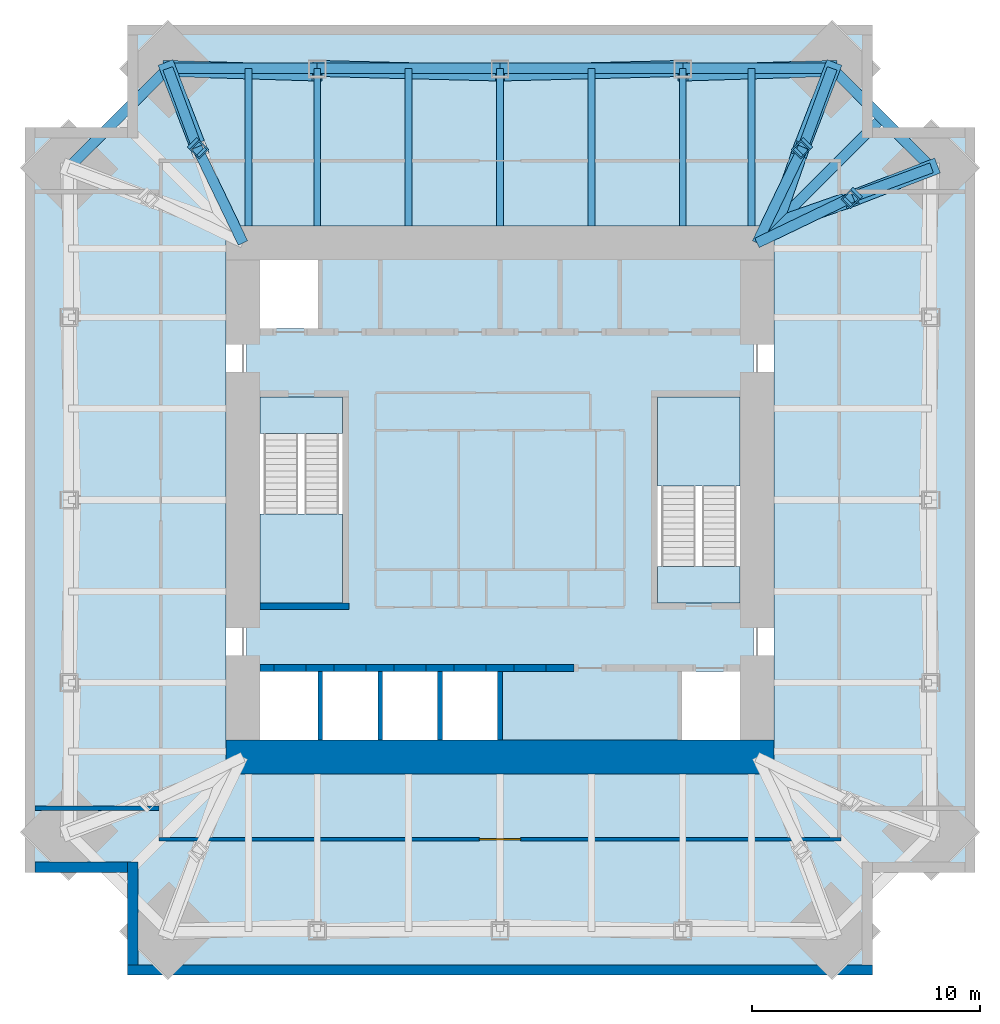
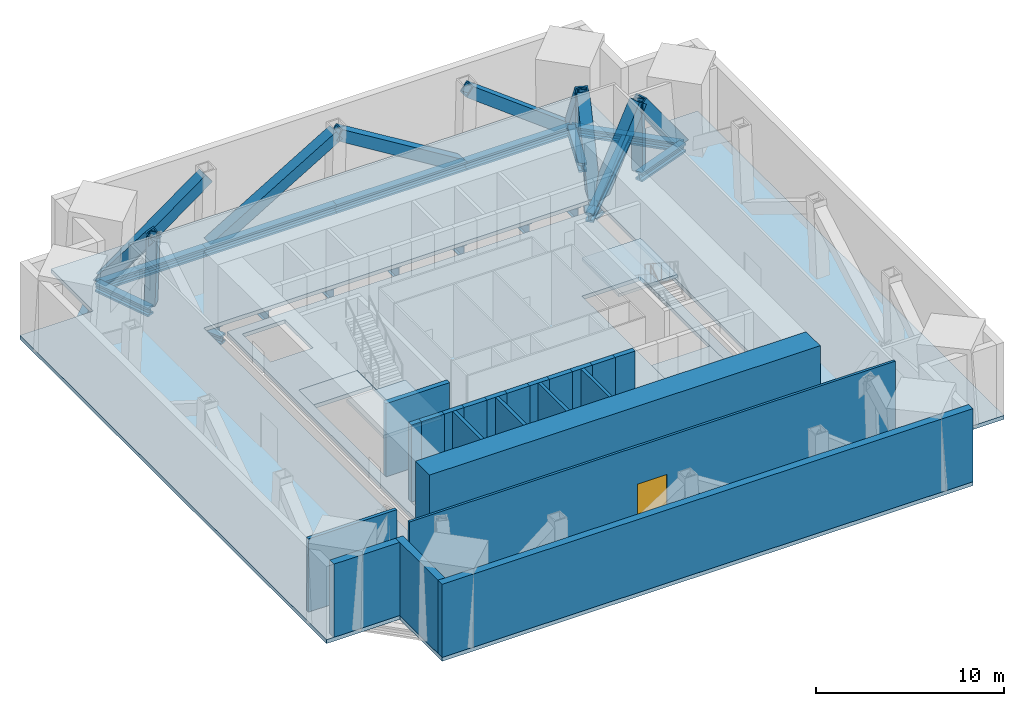
# One storey, part 2 of 6: 22 members, 22 walls, 10 beams, 6 slabs, 1 door, 1 opening, 2 elements without a shape of their own.
"""IFC4 building model written with IfcOpenShell, lengths in metres."""

import ifcopenshell
import ifcopenshell.guid

model = None  # the IFC model being written
_history = None  # IfcOwnerHistory: only IFC2X3 demands one
_inside = {}  # id of a spatial element -> (the spatial element, [elements in it])
_under = {}  # id of a project, library or spatial element -> (it, [spatial elements below it])
_declared = {}  # id of a project -> (the project, [libraries it declares])
_typed = {}  # id of a type object -> (the type object, [elements of that type])
_made_of = {}  # id of a material, layer set ... -> (it, [elements and type objects made of it])


def new_model(schema):
    """Start an empty IFC model of exactly this schema.

    Asked for "IFC4X3", IfcOpenShell would pick the latest addendum, in which some entities
    have other attributes; the version numbers below select the first issue.
    IFC2X3 requires an IfcOwnerHistory on every rooted entity: one is made here for all.
    """
    global model, _history
    if schema == "IFC4X3":
        model = ifcopenshell.file(schema_version=(4, 3, 0, 0))
    else:
        model = ifcopenshell.file(schema=schema)
    _inside.clear()
    _under.clear()
    _declared.clear()
    _typed.clear()
    _made_of.clear()
    _history = None
    if model.schema == "IFC2X3":
        org = make("IfcOrganization", Name="unknown")
        user = make(
            "IfcPersonAndOrganization",
            ThePerson=make("IfcPerson", FamilyName="unknown"),
            TheOrganization=org,
        )
        app = make(
            "IfcApplication",
            ApplicationDeveloper=org,
            Version="unknown",
            ApplicationFullName="unknown",
            ApplicationIdentifier="unknown",
        )
        _history = make(
            "IfcOwnerHistory",
            OwningUser=user,
            OwningApplication=app,
            ChangeAction="ADDED",
            CreationDate=0,
        )
    return model


def make(cls, **values):
    """One entity of the class cls with the attributes given. An attribute that is None is left unset."""
    return model.create_entity(
        cls, **{name: value for name, value in values.items() if value is not None}
    )


def rooted(cls, **values):
    """An entity with a GlobalId (a new one), such as an element, a storey or a relation."""
    return make(cls, GlobalId=ifcopenshell.guid.new(), OwnerHistory=_history, **values)


def si_unit(unit_type, name, prefix=None):
    """IfcSIUnit, for example si_unit("LENGTHUNIT", "METRE", prefix="MILLI")."""
    return make("IfcSIUnit", UnitType=unit_type, Prefix=prefix, Name=name)


def assignment(units):
    """IfcUnitAssignment: the units of a project."""
    return None if units is None else make("IfcUnitAssignment", Units=units)


def point(xyz):
    """IfcCartesianPoint."""
    return None if xyz is None else make("IfcCartesianPoint", Coordinates=xyz)


def direction(xyz):
    """IfcDirection."""
    return None if xyz is None else make("IfcDirection", DirectionRatios=xyz)


def frame(location, z_axis=None, x_axis=None):
    """IfcAxis2Placement3D, a coordinate frame: its origin and axes. An axis left out is left unset."""
    return make(
        "IfcAxis2Placement3D",
        Location=point(location),
        Axis=direction(z_axis),
        RefDirection=direction(x_axis),
    )


def frame_2d(location, x_axis=None):
    """IfcAxis2Placement2D, a coordinate frame in the plane: its origin and x axis."""
    return make(
        "IfcAxis2Placement2D", Location=point(location), RefDirection=direction(x_axis)
    )


def origin():
    """The frame at (0, 0, 0) with its axes left unset."""
    return frame((0.0, 0.0, 0.0))


def origin_2d():
    """The frame at (0, 0) in the plane with its x axis left unset."""
    return frame_2d((0.0, 0.0))


def place(relative_to, where):
    """IfcLocalPlacement: puts the frame where relative to a parent placement (None: the world)."""
    return make(
        "IfcLocalPlacement", PlacementRelTo=relative_to, RelativePlacement=where
    )


def context(
    kind, dimensions, precision=None, world=None, true_north=None, identifier=None
):
    """IfcGeometricRepresentationContext, for example the 3D "Model" context."""
    return make(
        "IfcGeometricRepresentationContext",
        ContextIdentifier=identifier,
        ContextType=kind,
        CoordinateSpaceDimension=dimensions,
        Precision=precision,
        WorldCoordinateSystem=world,
        TrueNorth=true_north,
    )


def subcontext(parent, identifier, kind, view, scale=None):
    """IfcGeometricRepresentationSubContext, for example "Body" below "Model"."""
    return make(
        "IfcGeometricRepresentationSubContext",
        ContextIdentifier=identifier,
        ContextType=kind,
        ParentContext=parent,
        TargetScale=scale,
        TargetView=view,
    )


def project(units=None, contexts=None):
    """IfcProject with its units and contexts."""
    return rooted(
        "IfcProject",
        Name="project",
        RepresentationContexts=contexts,
        UnitsInContext=assignment(units),
    )


def spatial(cls, under=None, at=None, **own):
    """A site, building, storey or space (cls), placed at a placement, below another one or the project."""
    s = rooted(cls, ObjectPlacement=at, **own)
    if under is not None:
        _under.setdefault(under.id(), (under, []))[1].append(s)
    return s


def polyline(points):
    """IfcPolyline through the points."""
    return make("IfcPolyline", Points=[point(p) for p in points])


def profile(cls, at=None, kind="AREA", **sizes):
    """A parametric profile (cls). Its sizes go by their IFC names, for example OverallWidth=200.0."""
    return make(cls, ProfileType=kind, Position=at, **sizes)


def rectangle(**sizes):
    """IfcRectangleProfileDef."""
    return profile("IfcRectangleProfileDef", **sizes)


def hollow_rectangle(**sizes):
    """IfcRectangleHollowProfileDef."""
    return profile("IfcRectangleHollowProfileDef", **sizes)


def i_section(**sizes):
    """IfcIShapeProfileDef."""
    return profile("IfcIShapeProfileDef", **sizes)


def outline(outer, holes=None, kind="AREA"):
    """IfcArbitraryClosedProfileDef: a profile drawn as a closed curve; with holes, ...WithVoids."""
    if holes is None:
        return make("IfcArbitraryClosedProfileDef", ProfileType=kind, OuterCurve=outer)
    return make(
        "IfcArbitraryProfileDefWithVoids",
        ProfileType=kind,
        OuterCurve=outer,
        InnerCurves=holes,
    )


def extrude(swept, where, along, depth):
    """IfcExtrudedAreaSolid: the profile swept, set in the frame where, extruded along a direction by depth."""
    return make(
        "IfcExtrudedAreaSolid",
        SweptArea=swept,
        Position=where,
        ExtrudedDirection=direction(along),
        Depth=depth,
    )


def shape(context_of_items, identifier, shape_type, items):
    """IfcShapeRepresentation: the items that make up one representation, for example the "Body"."""
    return make(
        "IfcShapeRepresentation",
        ContextOfItems=context_of_items,
        RepresentationIdentifier=identifier,
        RepresentationType=shape_type,
        Items=items,
    )


def material(Name=None, Category=None):
    """IfcMaterial."""
    return make("IfcMaterial", Name=Name, Category=Category)


def layer(
    of_material, thickness, ventilated=None, Name=None, Category=None, Priority=None
):
    """IfcMaterialLayer: one layer of a wall or slab, of a material (None: an air gap)."""
    return make(
        "IfcMaterialLayer",
        Material=of_material,
        LayerThickness=thickness,
        IsVentilated=ventilated,
        Name=Name,
        Category=Category,
        Priority=Priority,
    )


def layer_set(layers, Name=None):
    """IfcMaterialLayerSet."""
    return make("IfcMaterialLayerSet", MaterialLayers=layers, LayerSetName=Name)


def material_profile(
    of_material, cross_section, Name=None, Category=None, Priority=None
):
    """IfcMaterialProfile: a cross section and its material."""
    return make(
        "IfcMaterialProfile",
        Name=Name,
        Material=of_material,
        Profile=cross_section,
        Priority=Priority,
        Category=Category,
    )


def profile_set(profiles, Name=None, composite=None):
    """IfcMaterialProfileSet."""
    return make(
        "IfcMaterialProfileSet",
        Name=Name,
        MaterialProfiles=profiles,
        CompositeProfile=composite,
    )


def made_of(thing, what):
    """Note that an element or type object is made of a material, layer set ...; save() writes the relation."""
    if what is not None:
        _made_of.setdefault(what.id(), (what, []))[1].append(thing)
    return thing


def type_object(cls, material=None, **own):
    """A type object (cls), such as IfcWallType, which elements share."""
    return made_of(rooted(cls, **own), material)


def element(
    cls,
    number,
    at=None,
    inside=None,
    cuts=None,
    type_object=None,
    material=None,
    context=None,
    identifier="Body",
    shape_type=None,
    held_by="IfcProductDefinitionShape",
    body=None,
    shapes=None,
    **own,
):
    """One element of the class cls, such as IfcWall. Its Tag is "e" and its number.

    at: its placement. inside: the storey or other place that contains it. cuts: it is an
    opening in that element (IfcRelVoidsElement). A single representation is given by context,
    identifier, shape_type and body (its items); several are given by shapes. held_by: the class
    of the entity that holds the representations. save() writes the other relations.
    """
    e = rooted(cls, Tag="e%d" % number, ObjectPlacement=at, **own)
    if body is not None:
        shapes = [shape(context, identifier, shape_type, body)]
    if shapes is not None:
        e.Representation = make(held_by, Representations=shapes)
    if inside is not None:
        _inside.setdefault(inside.id(), (inside, []))[1].append(e)
    if cuts is not None:
        rooted(
            "IfcRelVoidsElement", RelatingBuildingElement=cuts, RelatedOpeningElement=e
        )
    if type_object is not None:
        _typed.setdefault(type_object.id(), (type_object, []))[1].append(e)
    return made_of(e, material)


def fill(opening, filler):
    """IfcRelFillsElement: the door or window that sits in an opening."""
    return rooted(
        "IfcRelFillsElement",
        RelatingOpeningElement=opening,
        RelatedBuildingElement=filler,
    )


def aggregate(whole, parts):
    """IfcRelAggregates: a whole, such as a stair, and the parts it consists of."""
    return rooted("IfcRelAggregates", RelatingObject=whole, RelatedObjects=parts)


def save(model, path):
    """Write the relations noted so far, then the file.

    IfcRelAggregates (storeys below a building ...), IfcRelContainedInSpatialStructure (elements
    in a storey), IfcRelDefinesByType, IfcRelAssociatesMaterial and IfcRelDeclares: one each for
    every whole, place, type object, material and project.
    """
    for whole, parts in _under.values():
        aggregate(whole, parts)
    for where, things in _inside.values():
        rooted(
            "IfcRelContainedInSpatialStructure",
            RelatedElements=things,
            RelatingStructure=where,
        )
    for kind, things in _typed.values():
        rooted("IfcRelDefinesByType", RelatedObjects=things, RelatingType=kind)
    for what, things in _made_of.values():
        rooted("IfcRelAssociatesMaterial", RelatedObjects=things, RelatingMaterial=what)
    for by, libraries in _declared.values():
        rooted("IfcRelDeclares", RelatingContext=by, RelatedDefinitions=libraries)
    model.write(path)


model = new_model("IFC4")

# Units and contexts
model_context = context("Model", 3, precision=1e-05, world=origin(), true_north=direction((0.0, 1.0)))
body_context = subcontext(model_context, "Body", "Model", "MODEL_VIEW")
ifc_project = project(units=[si_unit("LENGTHUNIT", "METRE"), si_unit("AREAUNIT", "SQUARE_METRE"), si_unit("VOLUMEUNIT", "CUBIC_METRE"), si_unit("PLANEANGLEUNIT", "RADIAN"), si_unit("MASSUNIT", "GRAM", prefix="KILO")], contexts=[model_context])

# Site, building, storey
site_placement = place(None, origin())
site = spatial("IfcSite", under=ifc_project, at=site_placement, CompositionType="ELEMENT")
building_placement = place(site_placement, origin())
building = spatial("IfcBuilding", under=site, at=building_placement, Name="Peilmerk Tower", CompositionType="ELEMENT")
storey_placement = place(building_placement, frame((0.0, 0.0, 297.800048828125)))
storey = spatial("IfcBuildingStorey", under=building, at=storey_placement, Name="L67", CompositionType="ELEMENT", Elevation=297.800048828125)

# Beams
ifc_material_1 = material(Name="Steel S460", Category="steel")
ifc_material_profile_1 = material_profile(ifc_material_1, i_section(OverallWidth=0.4541015625, OverallDepth=0.569091796875, WebThickness=0.077880859375, FlangeThickness=0.125, at=origin_2d()), Name="HD 400x1086")
ifc_profile_set_1 = profile_set([ifc_material_profile_1], Name="Steel S460")
beam_type_1 = type_object("IfcBeamType", Name="B17 HD 400x1086 edge beam", PredefinedType="SPANDREL", material=ifc_profile_set_1)
for number, where, z_axis, x_axis, name in (
    (1, (14.538818359375, 18.888671875, -0.53466796875), (0.707106781187, -0.707106781187, 0.0), (0.707106781187, 0.707106781187, 0.0), "Notch beam L67"),
    (2, (-18.888671875, 14.538818359375, -0.53466796875), (0.707106781187, 0.707106781187, 0.0), (-0.707106781187, 0.707106781187, 0.0), "Notch beam L67"),
):
    element("IfcBeam", number, at=place(storey_placement, frame(where, z_axis=z_axis, x_axis=x_axis)), inside=storey, type_object=beam_type_1, Name=name, PredefinedType="SPANDREL", context=body_context, shape_type="SweptSolid", body=[
        extrude(i_section(OverallWidth=0.4541015625, OverallDepth=0.569091796875, WebThickness=0.077880859375, FlangeThickness=0.125, at=origin_2d()), origin(), (0.0, 0.0, 1.0), 6.151611328125),
    ])
ifc_material_profile_2 = material_profile(ifc_material_1, i_section(OverallWidth=0.302978515625, OverallDepth=0.81396484375, WebThickness=0.02099609375, FlangeThickness=0.0400390625, at=origin_2d()), Name="HEM 800")
ifc_profile_set_2 = profile_set([ifc_material_profile_2], Name="Steel S460")
beam_type_2 = type_object("IfcBeamType", Name="B26 HEM 800 floor beam", PredefinedType="BEAM", material=ifc_profile_set_2)
for number, where, z_axis, x_axis, name in (
    (3, (11.0, 12.0, -0.656982421875), (0.0, 1.0, 0.0), (-1.0, 0.0, 0.0), "Floor beam L67"),
    (4, (8.0, 12.0, -0.656982421875), (0.0, 1.0, 0.0), (-1.0, 0.0, 0.0), "Floor beam L67"),
    (5, (4.0, 12.0, -0.656982421875), (0.0, 1.0, 0.0), (-1.0, 0.0, 0.0), "Floor beam L67"),
    (6, (0.0, 12.0, -0.656982421875), (0.0, 1.0, 0.0), (-1.0, 0.0, 0.0), "Floor beam L67"),
    (7, (-4.0, 12.0, -0.656982421875), (0.0, 1.0, 0.0), (-1.0, 0.0, 0.0), "Floor beam L67"),
    (8, (-8.0, 12.0, -0.656982421875), (0.0, 1.0, 0.0), (-1.0, 0.0, 0.0), "Floor beam L67"),
    (9, (-11.0, 12.0, -0.656982421875), (0.0, 1.0, 0.0), (-1.0, 0.0, 0.0), "Floor beam L67"),
):
    element("IfcBeam", number, at=place(storey_placement, frame(where, z_axis=z_axis, x_axis=x_axis)), inside=storey, type_object=beam_type_2, Name=name, PredefinedType="BEAM", context=body_context, shape_type="SweptSolid", body=[
        extrude(i_section(OverallWidth=0.302978515625, OverallDepth=0.81396484375, WebThickness=0.02099609375, FlangeThickness=0.0400390625, at=origin_2d()), origin(), (0.0, 0.0, 1.0), 6.888671875),
    ])
ifc_material_profile_3 = material_profile(ifc_material_1, i_section(OverallWidth=0.4541015625, OverallDepth=0.569091796875, WebThickness=0.077880859375, FlangeThickness=0.125, at=origin_2d()), Name="HD 400x1086")
ifc_profile_set_3 = profile_set([ifc_material_profile_3], Name="Steel S460")
beam_type_3 = type_object("IfcBeamType", Name="B9 HD 400x1086 corner girder", PredefinedType="BEAM", material=ifc_profile_set_3)
beam_placement = place(storey_placement, frame((11.25, 11.25, -0.53466796875), z_axis=(0.707106781187, 0.707106781187, 0.0), x_axis=(-0.707106781187, 0.707106781187, 0.0)))
element("IfcBeam", 10, at=beam_placement, inside=storey, type_object=beam_type_3, Name="Corner girder L67", PredefinedType="BEAM", context=body_context, shape_type="SweptSolid", body=[
    extrude(i_section(OverallWidth=0.4541015625, OverallDepth=0.569091796875, WebThickness=0.077880859375, FlangeThickness=0.125, at=origin_2d()), origin(), (0.0, 0.0, 1.0), 7.726806640625),
])

# Members
ifc_material_profile_4 = material_profile(ifc_material_1, i_section(OverallWidth=0.4541015625, OverallDepth=0.569091796875, WebThickness=0.077880859375, FlangeThickness=0.125, at=origin_2d()), Name="HD 400x1086")
ifc_profile_set_4 = profile_set([ifc_material_profile_4], Name="Steel S460")
member_type_1 = type_object("IfcMemberType", Name="M1 HD 400x1086 belt truss chord", PredefinedType="CHORD", material=ifc_profile_set_4)
member_1_placement = place(storey_placement, frame((14.538818359375, 18.888671875, -0.53466796875), z_axis=(-1.0, 0.0, 0.0), x_axis=(0.0, -1.0, 0.0)))
element("IfcMember", 11, at=member_1_placement, inside=storey, type_object=member_type_1, Name="Belt truss chord L67", PredefinedType="CHORD", context=body_context, shape_type="SweptSolid", body=[
    extrude(i_section(OverallWidth=0.4541015625, OverallDepth=0.569091796875, WebThickness=0.077880859375, FlangeThickness=0.125, at=origin_2d()), origin(), (0.0, 0.0, 1.0), 6.538818359375),
])
for number, where, z_axis, x_axis, name in (
    (12, (8.0, 18.888671875, -0.53466796875), (-1.0, 0.0, 0.0), (0.0, -1.0, 0.0), "Belt truss chord L67"),
    (13, (0.0, 18.888671875, -0.53466796875), (-1.0, 0.0, 0.0), (0.0, -1.0, 0.0), "Belt truss chord L67"),
):
    element("IfcMember", number, at=place(storey_placement, frame(where, z_axis=z_axis, x_axis=x_axis)), inside=storey, type_object=member_type_1, Name=name, PredefinedType="CHORD", context=body_context, shape_type="SweptSolid", body=[
        extrude(i_section(OverallWidth=0.4541015625, OverallDepth=0.569091796875, WebThickness=0.077880859375, FlangeThickness=0.125, at=origin_2d()), origin(), (0.0, 0.0, 1.0), 8.0),
    ])
member_2_placement = place(storey_placement, frame((-8.0, 18.888671875, -0.53466796875), z_axis=(-1.0, 0.0, 0.0), x_axis=(0.0, -1.0, 0.0)))
element("IfcMember", 14, at=member_2_placement, inside=storey, type_object=member_type_1, Name="Belt truss chord L67", PredefinedType="CHORD", context=body_context, shape_type="SweptSolid", body=[
    extrude(i_section(OverallWidth=0.4541015625, OverallDepth=0.569091796875, WebThickness=0.077880859375, FlangeThickness=0.125, at=origin_2d()), origin(), (0.0, 0.0, 1.0), 6.538818359375),
])
member_3_placement = place(storey_placement, frame((11.25, 11.25, -0.53466796875), z_axis=(0.9010191315, 0.433779350212, 0.0), x_axis=(-0.433779350212, 0.9010191315, 0.0)))
element("IfcMember", 15, at=member_3_placement, inside=storey, type_object=member_type_1, Name="Outrigger chord T3 NE", PredefinedType="CHORD", context=body_context, shape_type="SweptSolid", body=[
    extrude(i_section(OverallWidth=0.4541015625, OverallDepth=0.569091796875, WebThickness=0.077880859375, FlangeThickness=0.125, at=origin_2d()), origin(), (0.0, 0.0, 1.0), 4.655029296875),
])
member_4_placement = place(storey_placement, frame((15.4443359375, 13.269287109375, -0.53466796875), z_axis=(0.938293145002, 0.345840966403, 0.0), x_axis=(-0.345840966403, 0.938293145002, 0.0)))
element("IfcMember", 16, at=member_4_placement, inside=storey, type_object=member_type_1, Name="Outrigger chord T3 NE", PredefinedType="CHORD", context=body_context, shape_type="SweptSolid", body=[
    extrude(i_section(OverallWidth=0.4541015625, OverallDepth=0.569091796875, WebThickness=0.077880859375, FlangeThickness=0.125, at=origin_2d()), origin(), (0.0, 0.0, 1.0), 3.6708984375),
])
member_5_placement = place(storey_placement, frame((11.25, 11.25, -0.53466796875), z_axis=(0.433779350212, 0.9010191315, 0.0), x_axis=(-0.9010191315, 0.433779350212, 0.0)))
element("IfcMember", 17, at=member_5_placement, inside=storey, type_object=member_type_1, Name="Outrigger chord T3 NE", PredefinedType="CHORD", context=body_context, shape_type="SweptSolid", body=[
    extrude(i_section(OverallWidth=0.4541015625, OverallDepth=0.569091796875, WebThickness=0.077880859375, FlangeThickness=0.125, at=origin_2d()), origin(), (0.0, 0.0, 1.0), 4.655029296875),
])
member_6_placement = place(storey_placement, frame((13.269287109375, 15.4443359375, -0.53466796875), z_axis=(0.345840966403, 0.938293145002, 0.0), x_axis=(-0.938293145002, 0.345840966403, 0.0)))
element("IfcMember", 18, at=member_6_placement, inside=storey, type_object=member_type_1, Name="Outrigger chord T3 NE", PredefinedType="CHORD", context=body_context, shape_type="SweptSolid", body=[
    extrude(i_section(OverallWidth=0.4541015625, OverallDepth=0.569091796875, WebThickness=0.077880859375, FlangeThickness=0.125, at=origin_2d()), origin(), (0.0, 0.0, 1.0), 3.6708984375),
])
member_7_placement = place(storey_placement, frame((-11.25, 11.25, -0.53466796875), z_axis=(-0.433779350212, 0.9010191315, 0.0), x_axis=(-0.9010191315, -0.433779350212, 0.0)))
element("IfcMember", 19, at=member_7_placement, inside=storey, type_object=member_type_1, Name="Outrigger chord T3 NW", PredefinedType="CHORD", context=body_context, shape_type="SweptSolid", body=[
    extrude(i_section(OverallWidth=0.4541015625, OverallDepth=0.569091796875, WebThickness=0.077880859375, FlangeThickness=0.125, at=origin_2d()), origin(), (0.0, 0.0, 1.0), 4.655029296875),
])
member_8_placement = place(storey_placement, frame((-13.269287109375, 15.4443359375, -0.53466796875), z_axis=(-0.345840966403, 0.938293145002, 0.0), x_axis=(-0.938293145002, -0.345840966403, 0.0)))
element("IfcMember", 20, at=member_8_placement, inside=storey, type_object=member_type_1, Name="Outrigger chord T3 NW", PredefinedType="CHORD", context=body_context, shape_type="SweptSolid", body=[
    extrude(i_section(OverallWidth=0.4541015625, OverallDepth=0.569091796875, WebThickness=0.077880859375, FlangeThickness=0.125, at=origin_2d()), origin(), (0.0, 0.0, 1.0), 3.6708984375),
])
ifc_material_profile_5 = material_profile(ifc_material_1, hollow_rectangle(XDim=0.60009765625, YDim=0.60009765625, WallThickness=0.06005859375, at=origin_2d()), Name="BOX 600x600x60")
ifc_profile_set_5 = profile_set([ifc_material_profile_5], Name="Steel S460")
member_type_2 = type_object("IfcMemberType", Name="M3 BOX 600x600x60 outrigger post", PredefinedType="POST", material=ifc_profile_set_5)
for number, where, z_axis, x_axis, name in (
    (21, (15.4443359375, 13.269287109375, -0.53466796875), (-0.020157819747, -0.020157819747, 0.999593579714), (0.707106781187, -0.707106781187, 0.0), "Outrigger post T3 NE"),
    (22, (13.269287109375, 15.4443359375, -0.53466796875), (-0.020157819747, -0.020157819747, 0.999593579714), (0.707106781187, -0.707106781187, 0.0), "Outrigger post T3 NE"),
    (23, (-13.269287109375, 15.4443359375, -0.53466796875), (0.020157819747, -0.020157819747, 0.999593579714), (0.707106781187, 0.707106781187, 0.0), "Outrigger post T3 NW"),
):
    element("IfcMember", number, at=place(storey_placement, frame(where, z_axis=z_axis, x_axis=x_axis)), inside=storey, type_object=member_type_2, Name=name, PredefinedType="POST", context=body_context, shape_type="SweptSolid", body=[
        extrude(hollow_rectangle(XDim=0.60009765625, YDim=0.60009765625, WallThickness=0.06005859375, at=origin_2d()), origin(), (0.0, 0.0, 1.0), 5.001953125),
    ])
ifc_material_profile_6 = material_profile(ifc_material_1, hollow_rectangle(XDim=0.699951171875, YDim=0.699951171875, WallThickness=0.080078125, at=origin_2d()), Name="BOX 700x700x80")
ifc_profile_set_6 = profile_set([ifc_material_profile_6], Name="Steel S460")
member_type_3 = type_object("IfcMemberType", Name="M4 BOX 700x700x80 outrigger diagonal", PredefinedType="BRACE", material=ifc_profile_set_6)
member_9_placement = place(storey_placement, frame((14.538818359375, 18.888671875, -0.53466796875), z_axis=(-0.79413554631, -0.024491504359, 0.607246984596), x_axis=(0.030825802252, -0.999524772037, 0.0)))
element("IfcMember", 24, at=member_9_placement, inside=storey, type_object=member_type_3, Name="Belt truss diagonal T3 N", PredefinedType="BRACE", context=body_context, shape_type="SweptSolid", body=[
    extrude(hollow_rectangle(XDim=0.699951171875, YDim=0.699951171875, WallThickness=0.080078125, at=origin_2d()), origin(), (0.0, 0.0, 1.0), 8.23388671875),
])
for number, where, z_axis, x_axis, name in (
    (25, (8.0, 18.888671875, -0.53466796875), (-0.847804632209, -0.021371051825, 0.529877895131), (0.025199514677, -0.999682441808, 0.0), "Belt truss diagonal T3 N"),
    (26, (-8.0, 18.888671875, -0.53466796875), (0.847804632209, -0.021371051825, 0.529877895131), (0.025199514677, 0.999682441808, 0.0), "Belt truss diagonal T3 N"),
):
    element("IfcMember", number, at=place(storey_placement, frame(where, z_axis=z_axis, x_axis=x_axis)), inside=storey, type_object=member_type_3, Name=name, PredefinedType="BRACE", context=body_context, shape_type="SweptSolid", body=[
        extrude(hollow_rectangle(XDim=0.699951171875, YDim=0.699951171875, WallThickness=0.080078125, at=origin_2d()), origin(), (0.0, 0.0, 1.0), 9.43603515625),
    ])
member_10_placement = place(storey_placement, frame((-14.538818359375, 18.888671875, -0.53466796875), z_axis=(0.79413554631, -0.024491504359, 0.607246984596), x_axis=(0.030825802252, 0.999524772037, 0.0)))
element("IfcMember", 27, at=member_10_placement, inside=storey, type_object=member_type_3, Name="Belt truss diagonal T3 N", PredefinedType="BRACE", context=body_context, shape_type="SweptSolid", body=[
    extrude(hollow_rectangle(XDim=0.699951171875, YDim=0.699951171875, WallThickness=0.080078125, at=origin_2d()), origin(), (0.0, 0.0, 1.0), 8.23388671875),
])
member_11_placement = place(storey_placement, frame((12.0, 12.0, -0.53466796875), z_axis=(0.545669837476, 0.190695570804, 0.816014477656), x_axis=(-0.329905174718, 0.944014076004, 0.0)))
element("IfcMember", 28, at=member_11_placement, inside=storey, type_object=member_type_3, Name="Outrigger diagonal T3", PredefinedType="BRACE", context=body_context, shape_type="SweptSolid", body=[
    extrude(hollow_rectangle(XDim=0.699951171875, YDim=0.699951171875, WallThickness=0.080078125, at=origin_2d()), origin(), (0.0, 0.0, 1.0), 6.12744140625),
])
member_12_placement = place(storey_placement, frame((18.888671875, 14.538818359375, -0.53466796875), z_axis=(-0.564461836529, -0.218189125297, 0.796100710152), x_axis=(0.360545352967, -0.932741683669, 0.0)))
element("IfcMember", 29, at=member_12_placement, inside=storey, type_object=member_type_3, Name="Outrigger diagonal T3", PredefinedType="BRACE", context=body_context, shape_type="SweptSolid", body=[
    extrude(hollow_rectangle(XDim=0.699951171875, YDim=0.699951171875, WallThickness=0.080078125, at=origin_2d()), origin(), (0.0, 0.0, 1.0), 6.280517578125),
])
member_13_placement = place(storey_placement, frame((12.0, 12.0, -0.53466796875), z_axis=(0.190695570804, 0.545669837476, 0.816014477656), x_axis=(-0.944014076004, 0.329905174718, 0.0)))
element("IfcMember", 30, at=member_13_placement, inside=storey, type_object=member_type_3, Name="Outrigger diagonal T3", PredefinedType="BRACE", context=body_context, shape_type="SweptSolid", body=[
    extrude(hollow_rectangle(XDim=0.699951171875, YDim=0.699951171875, WallThickness=0.080078125, at=origin_2d()), origin(), (0.0, 0.0, 1.0), 6.12744140625),
])
for number, where, z_axis, x_axis, name in (
    (31, (14.538818359375, 18.888671875, -0.53466796875), (-0.218189125297, -0.564461836529, 0.796100710152), (0.932741683669, -0.360545352967, 0.0), "Outrigger diagonal T3"),
    (32, (-14.538818359375, 18.888671875, -0.53466796875), (0.218189125297, -0.564461836529, 0.796100710152), (0.932741683669, 0.360545352967, 0.0), "Outrigger diagonal T3"),
):
    element("IfcMember", number, at=place(storey_placement, frame(where, z_axis=z_axis, x_axis=x_axis)), inside=storey, type_object=member_type_3, Name=name, PredefinedType="BRACE", context=body_context, shape_type="SweptSolid", body=[
        extrude(hollow_rectangle(XDim=0.699951171875, YDim=0.699951171875, WallThickness=0.080078125, at=origin_2d()), origin(), (0.0, 0.0, 1.0), 6.280517578125),
    ])

# Slabs
ifc_material_2 = material(Name="Concrete C55/67", Category="concrete")
ifc_layer_1 = layer(ifc_material_2, 0.25)
ifc_layer_set_1 = layer_set([ifc_layer_1], Name="Concrete C55/67")
slab_type_1 = type_object("IfcSlabType", Name="CS250 250 core floor slab", PredefinedType="FLOOR", material=ifc_layer_set_1)
slab_1_placement = place(storey_placement, frame((0.0, 0.0, -0.25)))
element("IfcSlab", 33, at=slab_1_placement, inside=storey, type_object=slab_type_1, Name="Core slab L67", PredefinedType="FLOOR", context=body_context, shape_type="SweptSolid", body=[
    extrude(outline(polyline([(11.10009765625, -11.10009765625), (11.10009765625, 11.10009765625), (-11.10009765625, 11.10009765625), (-11.10009765625, -11.10009765625), (11.10009765625, -11.10009765625)]), holes=[polyline([(-7.875, 7.5), (-10.5, 7.5), (-10.5, 10.5), (-7.875, 10.5), (-7.875, 7.5)]), polyline([(0.0, -10.5), (-10.5, -10.5), (-10.5, -7.5), (0.0, -7.5), (0.0, -10.5)]), polyline([(7.875, -10.5), (7.875, -7.5), (10.5, -7.5), (10.5, -10.5), (7.875, -10.5)]), polyline([(-10.5, 4.5), (-6.89990234375, 4.5), (-6.89990234375, -4.5), (-10.5, -4.5), (-10.5, 4.5)]), polyline([(10.5, 4.5), (10.5, -4.5), (6.89990234375, -4.5), (6.89990234375, 4.5), (10.5, 4.5)])]), origin(), (0.0, 0.0, 1.0), 0.25),
])
ifc_material_3 = material(Name="Concrete C35/45", Category="concrete")
ifc_layer_2 = layer(ifc_material_3, 0.25)
ifc_layer_set_2 = layer_set([ifc_layer_2], Name="Concrete C35/45")
slab_type_2 = type_object("IfcSlabType", Name="FS250 250 composite floor slab", PredefinedType="FLOOR", material=ifc_layer_set_2)
slab_2_placement = place(storey_placement, frame((0.0, 0.0, -0.25)))
element("IfcSlab", 34, at=slab_2_placement, inside=storey, type_object=slab_type_2, Name="Floor slab L67", PredefinedType="FLOOR", context=body_context, shape_type="SweptSolid", body=[
    extrude(outline(polyline([(-16.300048828125, -20.800048828125), (16.300048828125, -20.800048828125), (16.300048828125, -16.300048828125), (20.800048828125, -16.300048828125), (20.800048828125, 16.300048828125), (16.300048828125, 16.300048828125), (16.300048828125, 20.800048828125), (-16.300048828125, 20.800048828125), (-16.300048828125, 16.300048828125), (-20.800048828125, 16.300048828125), (-20.800048828125, -16.300048828125), (-16.300048828125, -16.300048828125), (-16.300048828125, -20.800048828125)]), holes=[polyline([(12.0, 12.0), (12.0, -12.0), (-12.0, -12.0), (-12.0, 12.0), (12.0, 12.0)])]), origin(), (0.0, 0.0, 1.0), 0.25),
])

# Stair, slab
ifc_material_4 = material(Name="Precast concrete C45/55", Category="concrete")
stair_type_1 = type_object("IfcStairType", Name="ST1 28 risers of 178.6", PredefinedType="HALF_TURN_STAIR", material=ifc_material_4)
stair_1_placement = place(storey_placement, origin())
stair_1 = element("IfcStair", 35, at=stair_1_placement, inside=storey, type_object=stair_type_1, Name="Stair 1 L67 to L68", PredefinedType="HALF_TURN_STAIR")
ifc_layer_3 = layer(ifc_material_3, 0.199951171875)
ifc_layer_set_3 = layer_set([ifc_layer_3], Name="Concrete C35/45")
slab_type_3 = type_object("IfcSlabType", Name="SL1 200 concrete stair landing", PredefinedType="LANDING", material=ifc_layer_set_3)
slab_3_placement = place(storey_placement, frame((0.0, 0.0, 2.300048828125)))
slab_3 = element("IfcSlab", 36, at=slab_3_placement, type_object=slab_type_3, Name="ST1 landing 1", PredefinedType="LANDING", context=body_context, shape_type="SweptSolid", body=[
    extrude(outline(polyline([(-10.5, -4.5), (-6.89990234375, -4.5), (-6.89990234375, -0.610107421875), (-10.5, -0.610107421875), (-10.5, -4.5)])), origin(), (0.0, 0.0, 1.0), 0.199951171875),
])

stair_type_2 = type_object("IfcStairType", Name="ST2 28 risers of 178.6", PredefinedType="HALF_TURN_STAIR", material=ifc_material_4)
stair_2_placement = place(storey_placement, origin())
stair_2 = element("IfcStair", 37, at=stair_2_placement, inside=storey, type_object=stair_type_2, Name="Stair 2 L67 to L68", PredefinedType="HALF_TURN_STAIR")
slab_4_placement = place(storey_placement, frame((0.0, 0.0, 2.300048828125)))
slab_4 = element("IfcSlab", 38, at=slab_4_placement, type_object=slab_type_3, Name="ST2 landing 1", PredefinedType="LANDING", context=body_context, shape_type="SweptSolid", body=[
    extrude(outline(polyline([(6.89990234375, 0.610107421875), (10.5, 0.610107421875), (10.5, 4.5), (6.89990234375, 4.5), (6.89990234375, 0.610107421875)])), origin(), (0.0, 0.0, 1.0), 0.199951171875),
])

# Slab
ifc_layer_4 = layer(ifc_material_3, 0.25)
ifc_layer_set_4 = layer_set([ifc_layer_4], Name="Concrete C35/45")
slab_type_4 = type_object("IfcSlabType", Name="SL2 250 concrete floor landing", PredefinedType="LANDING", material=ifc_layer_set_4)
slab_5_placement = place(storey_placement, frame((0.0, 0.0, -0.25)))
slab_5 = element("IfcSlab", 39, at=slab_5_placement, type_object=slab_type_4, Name="ST1 floor landing", PredefinedType="LANDING", context=body_context, shape_type="SweptSolid", body=[
    extrude(outline(polyline([(-10.5, 2.89990234375), (-6.89990234375, 2.89990234375), (-6.89990234375, 4.5), (-10.5, 4.5), (-10.5, 2.89990234375)])), origin(), (0.0, 0.0, 1.0), 0.25),
])

aggregate(stair_1, [slab_3, slab_5])

slab_6_placement = place(storey_placement, frame((0.0, 0.0, -0.25)))
slab_6 = element("IfcSlab", 40, at=slab_6_placement, type_object=slab_type_4, Name="ST2 floor landing", PredefinedType="LANDING", context=body_context, shape_type="SweptSolid", body=[
    extrude(outline(polyline([(6.89990234375, -4.5), (10.5, -4.5), (10.5, -2.89990234375), (6.89990234375, -2.89990234375), (6.89990234375, -4.5)])), origin(), (0.0, 0.0, 1.0), 0.25),
])

aggregate(stair_2, [slab_4, slab_6])

# Walls
ifc_material_5 = material(Name="Precast concrete C45/55, board-marked finish", Category="concrete")
ifc_layer_5 = layer(ifc_material_5, 0.449951171875)
ifc_layer_set_5 = layer_set([ifc_layer_5], Name="Precast concrete C45/55, board-marked finish")
wall_type_1 = type_object("IfcWallType", Name="EW1 450 precast concrete facade wall, board-marked", PredefinedType="SOLIDWALL", material=ifc_layer_set_5)
wall_1_placement = place(storey_placement, frame((-16.300048828125, -20.574951171875, 0.0), z_axis=(0.0, 0.0, 1.0), x_axis=(1.0, 0.0, 0.0)))
element("IfcWall", 41, at=wall_1_placement, inside=storey, type_object=wall_type_1, Name="Facade wall S L67", PredefinedType="SOLIDWALL", context=body_context, shape_type="SweptSolid", body=[
    extrude(rectangle(XDim=32.60009765625, YDim=0.449951171875, at=frame_2d((16.300048828125, 0.0))), origin(), (0.0, 0.0, 1.0), 4.75),
])
wall_2_placement = place(storey_placement, frame((-16.074951171875, -15.85009765625, 0.0), z_axis=(0.0, 0.0, 1.0), x_axis=(0.0, -1.0, 0.0)))
element("IfcWall", 42, at=wall_2_placement, inside=storey, type_object=wall_type_1, Name="Facade wall SWA L67", PredefinedType="SOLIDWALL", context=body_context, shape_type="SweptSolid", body=[
    extrude(rectangle(XDim=4.5, YDim=0.449951171875, at=frame_2d((2.25, 0.0))), origin(), (0.0, 0.0, 1.0), 4.75),
])
wall_3_placement = place(storey_placement, frame((-16.300048828125, -16.074951171875, 0.0), z_axis=(0.0, 0.0, 1.0), x_axis=(-1.0, 0.0, 0.0)))
element("IfcWall", 43, at=wall_3_placement, inside=storey, type_object=wall_type_1, Name="Facade wall SWB L67", PredefinedType="SOLIDWALL", context=body_context, shape_type="SweptSolid", body=[
    extrude(rectangle(XDim=4.050048828125, YDim=0.449951171875, at=frame_2d((2.02490234375, 0.0))), origin(), (0.0, 0.0, 1.0), 4.75),
])

# Wall, opening, door
ifc_material_6 = material(Name="Calcium silicate block", Category="masonry")
ifc_layer_6 = layer(ifc_material_6, 0.14990234375)
ifc_layer_set_6 = layer_set([ifc_layer_6], Name="Calcium silicate block")
wall_type_2 = type_object("IfcWallType", Name="IW1 150 corridor partition, EI 60", PredefinedType="PARTITIONING", material=ifc_layer_set_6)
wall_4_placement = place(storey_placement, frame((14.925048828125, -14.85009765625, 0.0), z_axis=(0.0, 0.0, 1.0), x_axis=(-1.0, 0.0, 0.0)))
wall_4 = element("IfcWall", 44, at=wall_4_placement, inside=storey, type_object=wall_type_2, Name="Corridor wall S L67", PredefinedType="PARTITIONING", context=body_context, shape_type="SweptSolid", body=[
    extrude(rectangle(XDim=29.85009765625, YDim=0.14990234375, at=frame_2d((14.925048828125, 0.0))), origin(), (0.0, 0.0, 1.0), 4.75),
])
opening_placement = place(wall_4_placement, frame((14.02490234375, 0.0, 0.0)))
opening = element("IfcOpeningElement", 45, at=opening_placement, cuts=wall_4, Name="Opening D2", PredefinedType="OPENING", context=body_context, shape_type="SweptSolid", body=[
    extrude(rectangle(XDim=1.800048828125, YDim=2.300048828125, at=frame_2d((0.89990234375, 1.14990234375))), frame((0.0, 0.0849609375, 0.0), z_axis=(0.0, -1.0, 0.0), x_axis=(1.0, 0.0, 0.0)), (0.0, 0.0, 1.0), 0.169921875),
])
ifc_material_7 = material(Name="Steel door in steel frame", Category="steel")
door_type = type_object("IfcDoorType", Name="D2 1800x2300 double door, EI2 60", OperationType="DOUBLE_DOOR_DOUBLE_SWING", PredefinedType="DOOR", material=ifc_material_7)
door_placement = place(opening_placement, origin())
door = element("IfcDoor", 46, at=door_placement, inside=storey, type_object=door_type, Name="Door Plant room L67", OperationType="DOUBLE_DOOR_DOUBLE_SWING", OverallHeight=2.300048828125, OverallWidth=1.800048828125, PredefinedType="DOOR", context=body_context, shape_type="SweptSolid", body=[
    extrude(rectangle(XDim=1.800048828125, YDim=2.300048828125, at=frame_2d((0.89990234375, 1.14990234375))), frame((0.0, 0.02490234375, 0.0), z_axis=(0.0, -1.0, 0.0), x_axis=(1.0, 0.0, 0.0)), (0.0, 0.0, 1.0), 0.050048828125),
])
fill(opening, door)

# Walls
ifc_layer_7 = layer(ifc_material_6, 0.199951171875)
ifc_layer_set_7 = layer_set([ifc_layer_7], Name="Calcium silicate block")
wall_type_3 = type_object("IfcWallType", Name="IW2 200 room separating wall, EI 120", PredefinedType="PARTITIONING", material=ifc_layer_set_7)
wall_5_placement = place(storey_placement, frame((-14.925048828125, -13.5, 0.0), z_axis=(0.0, 0.0, 1.0), x_axis=(-1.0, 0.0, 0.0)))
element("IfcWall", 47, at=wall_5_placement, inside=storey, type_object=wall_type_3, Name="Room separating wall SW L67", PredefinedType="PARTITIONING", context=body_context, shape_type="SweptSolid", body=[
    extrude(rectangle(XDim=5.425048828125, YDim=0.199951171875, at=frame_2d((2.71240234375, 0.0))), origin(), (0.0, 0.0, 1.0), 4.75),
])
ifc_layer_8 = layer(ifc_material_3, 0.300048828125)
ifc_layer_set_8 = layer_set([ifc_layer_8], Name="Concrete C35/45")
wall_type_4 = type_object("IfcWallType", Name="IW3 300 concrete stair enclosure wall, EI 120", PredefinedType="SOLIDWALL", material=ifc_layer_set_8)
wall_6_placement = place(storey_placement, frame((-6.60009765625, -4.64990234375, 0.0), z_axis=(0.0, 0.0, 1.0), x_axis=(-1.0, 0.0, 0.0)))
element("IfcWall", 48, at=wall_6_placement, inside=storey, type_object=wall_type_4, Name="Stair 1 enclosure L67", PredefinedType="SOLIDWALL", context=body_context, shape_type="SweptSolid", body=[
    extrude(rectangle(XDim=3.89990234375, YDim=0.300048828125, at=frame_2d((1.949951171875, 0.0))), origin(), (0.0, 0.0, 1.0), 4.75),
])
ifc_layer_9 = layer(ifc_material_6, 0.199951171875)
ifc_layer_set_9 = layer_set([ifc_layer_9], Name="Calcium silicate block")
wall_type_5 = type_object("IfcWallType", Name="SH1 200 shaft dividing wall, EI 120", PredefinedType="PARTITIONING", material=ifc_layer_set_9)
for number, where, z_axis, x_axis, name in (
    (49, (-7.875, -10.5, 0.0), (0.0, 0.0, 1.0), (0.0, 1.0, 0.0), "Shaft wall S C4 L67"),
    (50, (-5.25, -10.5, 0.0), (0.0, 0.0, 1.0), (0.0, 1.0, 0.0), "Shaft wall S C3 L67"),
    (51, (-2.625, -10.5, 0.0), (0.0, 0.0, 1.0), (0.0, 1.0, 0.0), "Shaft wall S C2 L67"),
    (52, (0.0, -10.5, 0.0), (0.0, 0.0, 1.0), (0.0, 1.0, 0.0), "Shaft wall S C1 L67"),
):
    element("IfcWall", number, at=place(storey_placement, frame(where, z_axis=z_axis, x_axis=x_axis)), inside=storey, type_object=wall_type_5, Name=name, PredefinedType="PARTITIONING", context=body_context, shape_type="SweptSolid", body=[
        extrude(rectangle(XDim=3.0, YDim=0.199951171875, at=frame_2d((1.5, 0.0))), origin(), (0.0, 0.0, 1.0), 5.0),
    ])
ifc_layer_10 = layer(ifc_material_6, 0.300048828125)
ifc_layer_set_10 = layer_set([ifc_layer_10], Name="Calcium silicate block")
wall_type_6 = type_object("IfcWallType", Name="SH2 300 lift landing door panel, EI 120", PredefinedType="PARTITIONING", material=ifc_layer_set_10)
for number, where, z_axis, x_axis, name in (
    (53, (-9.887451171875, -7.35009765625, 0.0), (0.0, 0.0, 1.0), (1.0, 0.0, 0.0), "Lift door panel S C4 L67"),
    (54, (-7.262451171875, -7.35009765625, 0.0), (0.0, 0.0, 1.0), (1.0, 0.0, 0.0), "Lift door panel S C3 L67"),
    (55, (-4.637451171875, -7.35009765625, 0.0), (0.0, 0.0, 1.0), (1.0, 0.0, 0.0), "Lift door panel S C2 L67"),
    (56, (-2.012451171875, -7.35009765625, 0.0), (0.0, 0.0, 1.0), (1.0, 0.0, 0.0), "Lift door panel S C1 L67"),
    (57, (0.612548828125, -7.35009765625, 0.0), (0.0, 0.0, 1.0), (1.0, 0.0, 0.0), "Lift door panel S B3 L67"),
):
    element("IfcWall", number, at=place(storey_placement, frame(where, z_axis=z_axis, x_axis=x_axis)), inside=storey, type_object=wall_type_6, Name=name, PredefinedType="PARTITIONING", context=body_context, shape_type="SweptSolid", body=[
        extrude(rectangle(XDim=1.39990234375, YDim=0.300048828125, at=frame_2d((0.699951171875, 0.0))), origin(), (0.0, 0.0, 1.0), 5.0),
    ])
ifc_layer_11 = layer(ifc_material_2, 1.5)
ifc_layer_set_11 = layer_set([ifc_layer_11], Name="Concrete C55/67")
wall_type_7 = type_object("IfcWallType", Name="SW1 1500 core wall", PredefinedType="SHEAR", material=ifc_layer_set_11)
wall_7_placement = place(storey_placement, frame((12.0, -11.25, 0.0), z_axis=(0.0, 0.0, 1.0), x_axis=(-1.0, 0.0, 0.0)))
element("IfcWall", 58, at=wall_7_placement, inside=storey, type_object=wall_type_7, Name="Core wall S L67", PredefinedType="SHEAR", context=body_context, shape_type="SweptSolid", body=[
    extrude(rectangle(XDim=24.0, YDim=1.5, at=frame_2d((12.0, 0.0))), origin(), (0.0, 0.0, 1.0), 5.0),
])
ifc_layer_12 = layer(ifc_material_2, 0.300048828125)
ifc_layer_set_12 = layer_set([ifc_layer_12], Name="Concrete C55/67")
wall_type_8 = type_object("IfcWallType", Name="SW2 300 lift bank pier", PredefinedType="SHEAR", material=ifc_layer_set_12)
wall_8_placement = place(storey_placement, frame((-10.5, -7.35009765625, 0.0), z_axis=(0.0, 0.0, 1.0), x_axis=(1.0, 0.0, 0.0)))
element("IfcWall", 59, at=wall_8_placement, inside=storey, type_object=wall_type_8, Name="Lift bank pier S L67", PredefinedType="SHEAR", context=body_context, shape_type="SweptSolid", body=[
    extrude(rectangle(XDim=0.612548828125, YDim=0.300048828125, at=frame_2d((0.30615234375, 0.0))), origin(), (0.0, 0.0, 1.0), 5.0),
])
for number, where, z_axis, x_axis, name in (
    (60, (-8.487548828125, -7.35009765625, 0.0), (0.0, 0.0, 1.0), (1.0, 0.0, 0.0), "Lift bank pier S L67"),
    (61, (-5.862548828125, -7.35009765625, 0.0), (0.0, 0.0, 1.0), (1.0, 0.0, 0.0), "Lift bank pier S L67"),
    (62, (-3.237548828125, -7.35009765625, 0.0), (0.0, 0.0, 1.0), (1.0, 0.0, 0.0), "Lift bank pier S L67"),
    (63, (-0.612548828125, -7.35009765625, 0.0), (0.0, 0.0, 1.0), (1.0, 0.0, 0.0), "Lift bank pier S L67"),
    (64, (2.012451171875, -7.35009765625, 0.0), (0.0, 0.0, 1.0), (1.0, 0.0, 0.0), "Lift bank pier S L67"),
):
    element("IfcWall", number, at=place(storey_placement, frame(where, z_axis=z_axis, x_axis=x_axis)), inside=storey, type_object=wall_type_8, Name=name, PredefinedType="SHEAR", context=body_context, shape_type="SweptSolid", body=[
        extrude(rectangle(XDim=1.22509765625, YDim=0.300048828125, at=frame_2d((0.612548828125, 0.0))), origin(), (0.0, 0.0, 1.0), 5.0),
    ])

save(model, "model.ifc")
